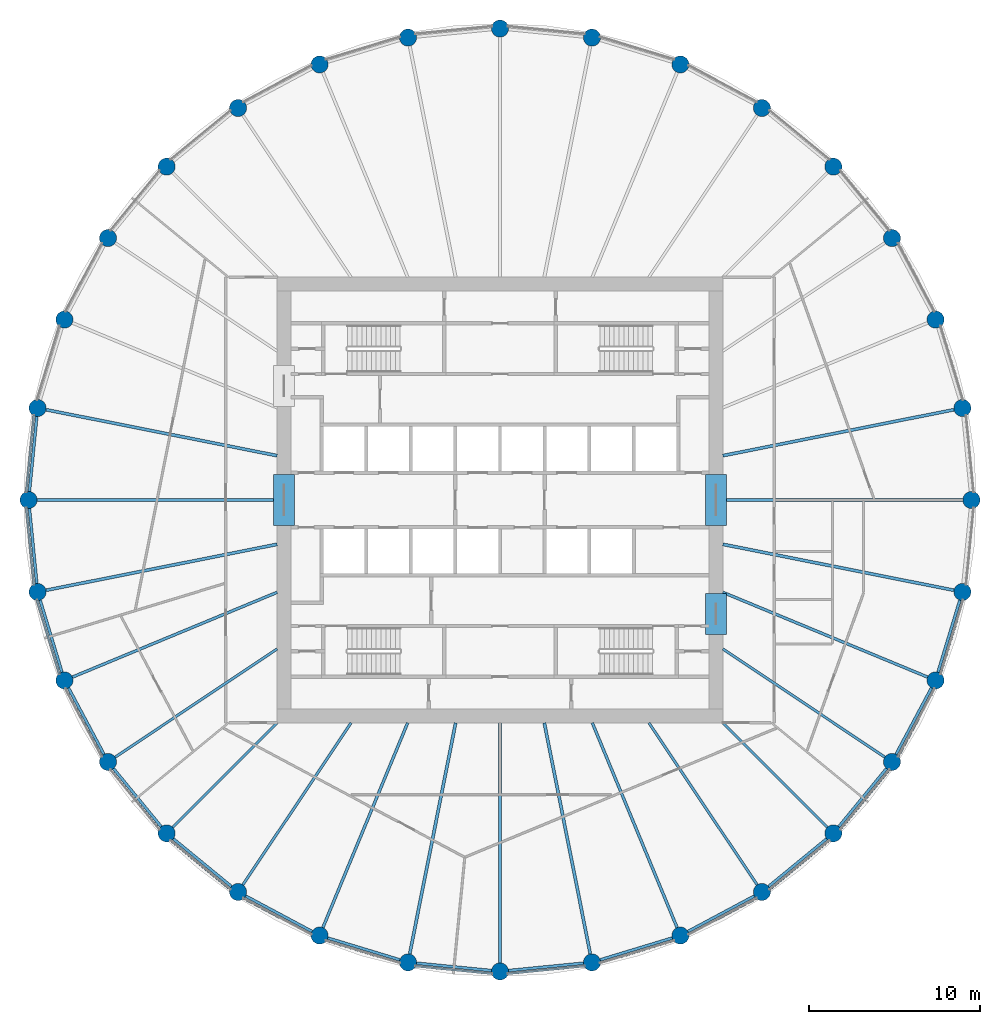
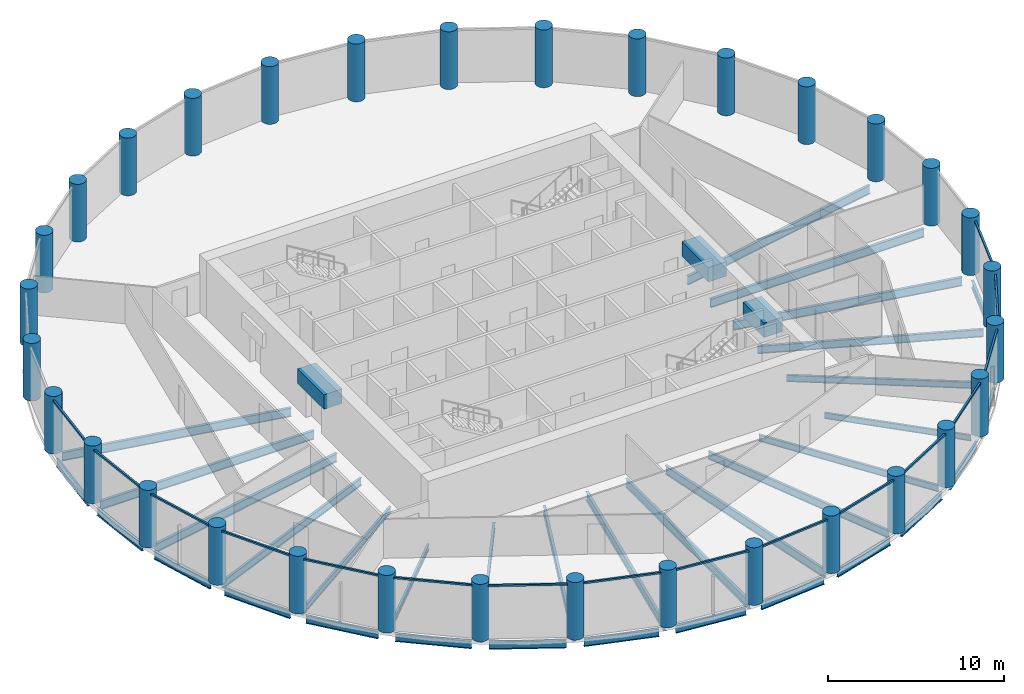
# One storey, part 1 of 8: 38 beams, 32 columns, 16 members, 16 elements without a shape of their own.
"""IFC4 building model written with IfcOpenShell, lengths in metres."""

from ifc_helpers import new_model, si_unit, direction, frame, origin, origin_2d, place, context, subcontext, project, spatial, rectangle, circle, i_section, extrude, material, material_profile, profile_set, type_object, element, aggregate, save


model = new_model("IFC4")

# Units and contexts
model_context = context("Model", 3, precision=1e-05, world=origin(), true_north=direction((0.0, 1.0)))
body_context = subcontext(model_context, "Body", "Model", "MODEL_VIEW")
ifc_project = project(units=[si_unit("LENGTHUNIT", "METRE"), si_unit("AREAUNIT", "SQUARE_METRE"), si_unit("VOLUMEUNIT", "CUBIC_METRE"), si_unit("PLANEANGLEUNIT", "RADIAN"), si_unit("MASSUNIT", "GRAM", prefix="KILO")], contexts=[model_context])

# Site, building, storey
site_placement = place(None, origin())
site = spatial("IfcSite", under=ifc_project, at=site_placement, CompositionType="ELEMENT")
building_placement = place(site_placement, origin())
building = spatial("IfcBuilding", under=site, at=building_placement, Name="Corvane Civic Tower", CompositionType="ELEMENT")
storey_placement = place(building_placement, frame((0.0, 0.0, 209.5)))
storey = spatial("IfcBuildingStorey", under=building, at=storey_placement, Name="L49", CompositionType="ELEMENT", Elevation=209.5)

# Columns
ifc_material_1 = material(Name="Concrete C60/75", Category="concrete")
ifc_material_profile_1 = material_profile(ifc_material_1, circle(Radius=0.5, at=origin_2d()), Name="COLUMN 1000")
ifc_profile_set_1 = profile_set([ifc_material_profile_1], Name="Concrete C60/75")
column_type = type_object("IfcColumnType", Name="RC COLUMN COLUMN 1000", PredefinedType="COLUMN", material=ifc_profile_set_1)
for number, where, z_axis, x_axis, name in (
    (1, (0.0, 27.5, 0.0), (0.0, 0.0, 1.0), (1.0, 0.0, 0.0), "COL-L49-D01"),
    (2, (5.364990234375, 26.9716796875, 0.0), (0.0, 0.0, 1.0), (1.0, 0.0, 0.0), "COL-L49-D02"),
    (3, (10.523681640625, 25.40673828125, 0.0), (0.0, 0.0, 1.0), (1.0, 0.0, 0.0), "COL-L49-D03"),
    (4, (15.278076171875, 22.865478515625, 0.0), (0.0, 0.0, 1.0), (1.0, 0.0, 0.0), "COL-L49-D04"),
    (5, (19.445556640625, 19.445556640625, 0.0), (0.0, 0.0, 1.0), (1.0, 0.0, 0.0), "COL-L49-D05"),
    (6, (22.865478515625, 15.278076171875, 0.0), (0.0, 0.0, 1.0), (1.0, 0.0, 0.0), "COL-L49-D06"),
    (7, (25.40673828125, 10.523681640625, 0.0), (0.0, 0.0, 1.0), (1.0, 0.0, 0.0), "COL-L49-D07"),
    (8, (26.9716796875, 5.364990234375, 0.0), (0.0, 0.0, 1.0), (1.0, 0.0, 0.0), "COL-L49-D08"),
    (9, (27.5, 0.0, 0.0), (0.0, 0.0, 1.0), (1.0, 0.0, 0.0), "COL-L49-D09"),
    (10, (26.9716796875, -5.364990234375, 0.0), (0.0, 0.0, 1.0), (1.0, 0.0, 0.0), "COL-L49-D10"),
    (11, (25.40673828125, -10.523681640625, 0.0), (0.0, 0.0, 1.0), (1.0, 0.0, 0.0), "COL-L49-D11"),
    (12, (22.865478515625, -15.278076171875, 0.0), (0.0, 0.0, 1.0), (1.0, 0.0, 0.0), "COL-L49-D12"),
    (13, (19.445556640625, -19.445556640625, 0.0), (0.0, 0.0, 1.0), (1.0, 0.0, 0.0), "COL-L49-D13"),
    (14, (15.278076171875, -22.865478515625, 0.0), (0.0, 0.0, 1.0), (1.0, 0.0, 0.0), "COL-L49-D14"),
    (15, (10.523681640625, -25.40673828125, 0.0), (0.0, 0.0, 1.0), (1.0, 0.0, 0.0), "COL-L49-D15"),
    (16, (5.364990234375, -26.9716796875, 0.0), (0.0, 0.0, 1.0), (1.0, 0.0, 0.0), "COL-L49-D16"),
    (17, (0.0, -27.5, 0.0), (0.0, 0.0, 1.0), (1.0, 0.0, 0.0), "COL-L49-D17"),
    (18, (-5.364990234375, -26.9716796875, 0.0), (0.0, 0.0, 1.0), (1.0, 0.0, 0.0), "COL-L49-D18"),
    (19, (-10.523681640625, -25.40673828125, 0.0), (0.0, 0.0, 1.0), (1.0, 0.0, 0.0), "COL-L49-D19"),
    (20, (-15.278076171875, -22.865478515625, 0.0), (0.0, 0.0, 1.0), (1.0, 0.0, 0.0), "COL-L49-D20"),
    (21, (-19.445556640625, -19.445556640625, 0.0), (0.0, 0.0, 1.0), (1.0, 0.0, 0.0), "COL-L49-D21"),
    (22, (-22.865478515625, -15.278076171875, 0.0), (0.0, 0.0, 1.0), (1.0, 0.0, 0.0), "COL-L49-D22"),
    (23, (-25.40673828125, -10.523681640625, 0.0), (0.0, 0.0, 1.0), (1.0, 0.0, 0.0), "COL-L49-D23"),
    (24, (-26.9716796875, -5.364990234375, 0.0), (0.0, 0.0, 1.0), (1.0, 0.0, 0.0), "COL-L49-D24"),
    (25, (-27.5, 0.0, 0.0), (0.0, 0.0, 1.0), (1.0, 0.0, 0.0), "COL-L49-D25"),
    (26, (-26.9716796875, 5.364990234375, 0.0), (0.0, 0.0, 1.0), (1.0, 0.0, 0.0), "COL-L49-D26"),
    (27, (-25.40673828125, 10.523681640625, 0.0), (0.0, 0.0, 1.0), (1.0, 0.0, 0.0), "COL-L49-D27"),
    (28, (-22.865478515625, 15.278076171875, 0.0), (0.0, 0.0, 1.0), (1.0, 0.0, 0.0), "COL-L49-D28"),
    (29, (-19.445556640625, 19.445556640625, 0.0), (0.0, 0.0, 1.0), (1.0, 0.0, 0.0), "COL-L49-D29"),
    (30, (-15.278076171875, 22.865478515625, 0.0), (0.0, 0.0, 1.0), (1.0, 0.0, 0.0), "COL-L49-D30"),
    (31, (-10.523681640625, 25.40673828125, 0.0), (0.0, 0.0, 1.0), (1.0, 0.0, 0.0), "COL-L49-D31"),
    (32, (-5.364990234375, 26.9716796875, 0.0), (0.0, 0.0, 1.0), (1.0, 0.0, 0.0), "COL-L49-D32"),
):
    element("IfcColumn", number, at=place(storey_placement, frame(where, z_axis=z_axis, x_axis=x_axis)), inside=storey, type_object=column_type, Name=name, PredefinedType="COLUMN", context=body_context, shape_type="SweptSolid", body=[
        extrude(circle(Radius=0.5, at=origin_2d()), origin(), (0.0, 0.0, 1.0), 4.0),
    ])

# Beams
ifc_material_2 = material(Name="Concrete C50/60", Category="concrete")
ifc_material_profile_2 = material_profile(ifc_material_2, rectangle(XDim=1.199951171875, YDim=1.0, at=origin_2d()), Name="COUPLING BEAM 1200X1000")
ifc_profile_set_2 = profile_set([ifc_material_profile_2], Name="Concrete C50/60")
beam_type_1 = type_object("IfcBeamType", Name="COUPLING BEAM COUPLING BEAM 1200X1000", PredefinedType="BEAM", material=ifc_profile_set_2)
for number, where, z_axis, x_axis, name in (
    (33, (-12.60009765625, -1.5, 2.60009765625), (0.0, 1.0, 0.0), (-1.0, 0.0, 0.0), "BM-L49-cpl-CW-LW"),
    (34, (12.60009765625, -1.5, 2.60009765625), (0.0, 1.0, 0.0), (-1.0, 0.0, 0.0), "BM-L49-cpl-CW-LE"),
):
    element("IfcBeam", number, at=place(storey_placement, frame(where, z_axis=z_axis, x_axis=x_axis)), inside=storey, type_object=beam_type_1, Name=name, PredefinedType="BEAM", context=body_context, shape_type="SweptSolid", body=[
        extrude(rectangle(XDim=1.199951171875, YDim=1.0, at=origin_2d()), origin(), (0.0, 0.0, 1.0), 3.0),
    ])
beam_1_placement = place(storey_placement, frame((12.60009765625, -7.85009765625, 2.60009765625), z_axis=(0.0, 1.0, 0.0), x_axis=(-1.0, 0.0, 0.0)))
element("IfcBeam", 35, at=beam_1_placement, inside=storey, type_object=beam_type_1, Name="BM-L49-cpl-CW-ES", PredefinedType="BEAM", context=body_context, shape_type="SweptSolid", body=[
    extrude(rectangle(XDim=1.199951171875, YDim=1.0, at=origin_2d()), origin(), (0.0, 0.0, 1.0), 2.400146484375),
])
ifc_material_3 = material(Name="Steel ASTM A992 Gr 50", Category="steel")
ifc_material_profile_3 = material_profile(ifc_material_3, i_section(OverallWidth=0.165771484375, OverallDepth=0.5283203125, WebThickness=0.009765625, FlangeThickness=0.013671875, at=origin_2d()), Name="W21X50")
ifc_profile_set_3 = profile_set([ifc_material_profile_3], Name="Steel ASTM A992 Gr 50")
beam_type_2 = type_object("IfcBeamType", Name="EDGE BEAM W21X50", PredefinedType="BEAM", material=ifc_profile_set_3)
beam_2_placement = place(storey_placement, frame((26.826416015625, -5.843505859375, -0.564208984375), z_axis=(-0.290254307888, -0.956949547653, 0.0), x_axis=(0.956949547653, -0.290254307888, 0.0)))
element("IfcBeam", 36, at=beam_2_placement, inside=storey, type_object=beam_type_2, Name="BM-L49-E10", PredefinedType="BEAM", context=body_context, shape_type="SweptSolid", body=[
    extrude(i_section(OverallWidth=0.165771484375, OverallDepth=0.5283203125, WebThickness=0.009765625, FlangeThickness=0.013671875, at=origin_2d()), origin(), (0.0, 0.0, 1.0), 4.390625),
])
for number, where, z_axis, x_axis, name in (
    (37, (25.171142578125, -10.964599609375, -0.564208984375), (-0.471422006704, -0.881907756852, 0.0), (0.881907756852, -0.471422006704, 0.0), "BM-L49-E11"),
    (38, (22.54833984375, -15.66455078125, -0.564208984375), (-0.634369433447, -0.773030026524, 0.0), (0.773030026524, -0.634369433447, 0.0), "BM-L49-E12"),
    (39, (19.05908203125, -19.7626953125, -0.564208984375), (-0.773030026524, -0.634369433447, 0.0), (0.634369433447, -0.773030026524, 0.0), "BM-L49-E13"),
    (40, (14.837158203125, -23.10107421875, -0.564208984375), (-0.881907756852, -0.471422006704, 0.0), (0.471422006704, -0.881907756852, 0.0), "BM-L49-E14"),
):
    element("IfcBeam", number, at=place(storey_placement, frame(where, z_axis=z_axis, x_axis=x_axis)), inside=storey, type_object=beam_type_2, Name=name, PredefinedType="BEAM", context=body_context, shape_type="SweptSolid", body=[
        extrude(i_section(OverallWidth=0.165771484375, OverallDepth=0.5283203125, WebThickness=0.009765625, FlangeThickness=0.013671875, at=origin_2d()), origin(), (0.0, 0.0, 1.0), 4.39111328125),
    ])
beam_3_placement = place(storey_placement, frame((10.045166015625, -25.552001953125, -0.564208984375), z_axis=(-0.956949547653, -0.290254307888, 0.0), x_axis=(0.290254307888, -0.956949547653, 0.0)))
element("IfcBeam", 41, at=beam_3_placement, inside=storey, type_object=beam_type_2, Name="BM-L49-E15", PredefinedType="BEAM", context=body_context, shape_type="SweptSolid", body=[
    extrude(i_section(OverallWidth=0.165771484375, OverallDepth=0.5283203125, WebThickness=0.009765625, FlangeThickness=0.013671875, at=origin_2d()), origin(), (0.0, 0.0, 1.0), 4.390625),
])
for number, where, z_axis, x_axis, name in (
    (42, (4.867431640625, -27.020751953125, -0.564208984375), (-0.995189593769, -0.097967711281, 0.0), (0.097967711281, -0.995189593769, 0.0), "BM-L49-E16"),
    (43, (-0.49755859375, -27.450927734375, -0.564208984375), (-0.995189593769, 0.097967711281, 0.0), (-0.097967711281, -0.995189593769, 0.0), "BM-L49-E17"),
):
    element("IfcBeam", number, at=place(storey_placement, frame(where, z_axis=z_axis, x_axis=x_axis)), inside=storey, type_object=beam_type_2, Name=name, PredefinedType="BEAM", context=body_context, shape_type="SweptSolid", body=[
        extrude(i_section(OverallWidth=0.165771484375, OverallDepth=0.5283203125, WebThickness=0.009765625, FlangeThickness=0.013671875, at=origin_2d()), origin(), (0.0, 0.0, 1.0), 4.39111328125),
    ])
beam_4_placement = place(storey_placement, frame((-5.843505859375, -26.826416015625, -0.564208984375), z_axis=(-0.956949547653, 0.290254307888, 0.0), x_axis=(-0.290254307888, -0.956949547653, 0.0)))
element("IfcBeam", 44, at=beam_4_placement, inside=storey, type_object=beam_type_2, Name="BM-L49-E18", PredefinedType="BEAM", context=body_context, shape_type="SweptSolid", body=[
    extrude(i_section(OverallWidth=0.165771484375, OverallDepth=0.5283203125, WebThickness=0.009765625, FlangeThickness=0.013671875, at=origin_2d()), origin(), (0.0, 0.0, 1.0), 4.390625),
])
for number, where, z_axis, x_axis, name in (
    (45, (-10.964599609375, -25.171142578125, -0.564208984375), (-0.881907756852, 0.471422006704, 0.0), (-0.471422006704, -0.881907756852, 0.0), "BM-L49-E19"),
    (46, (-15.66455078125, -22.54833984375, -0.564208984375), (-0.773030026524, 0.634369433447, 0.0), (-0.634369433447, -0.773030026524, 0.0), "BM-L49-E20"),
    (47, (-19.7626953125, -19.05908203125, -0.564208984375), (-0.634369433447, 0.773030026524, 0.0), (-0.773030026524, -0.634369433447, 0.0), "BM-L49-E21"),
    (48, (-23.10107421875, -14.837158203125, -0.564208984375), (-0.471422006704, 0.881907756852, 0.0), (-0.881907756852, -0.471422006704, 0.0), "BM-L49-E22"),
):
    element("IfcBeam", number, at=place(storey_placement, frame(where, z_axis=z_axis, x_axis=x_axis)), inside=storey, type_object=beam_type_2, Name=name, PredefinedType="BEAM", context=body_context, shape_type="SweptSolid", body=[
        extrude(i_section(OverallWidth=0.165771484375, OverallDepth=0.5283203125, WebThickness=0.009765625, FlangeThickness=0.013671875, at=origin_2d()), origin(), (0.0, 0.0, 1.0), 4.39111328125),
    ])
beam_5_placement = place(storey_placement, frame((-25.552001953125, -10.045166015625, -0.564208984375), z_axis=(-0.290254307888, 0.956949547653, 0.0), x_axis=(-0.956949547653, -0.290254307888, 0.0)))
element("IfcBeam", 49, at=beam_5_placement, inside=storey, type_object=beam_type_2, Name="BM-L49-E23", PredefinedType="BEAM", context=body_context, shape_type="SweptSolid", body=[
    extrude(i_section(OverallWidth=0.165771484375, OverallDepth=0.5283203125, WebThickness=0.009765625, FlangeThickness=0.013671875, at=origin_2d()), origin(), (0.0, 0.0, 1.0), 4.390625),
])
for number, where, z_axis, x_axis, name in (
    (50, (-27.020751953125, -4.867431640625, -0.564208984375), (-0.097967711281, 0.995189593769, 0.0), (-0.995189593769, -0.097967711281, 0.0), "BM-L49-E24"),
    (51, (-27.450927734375, 0.49755859375, -0.564208984375), (0.097967711281, 0.995189593769, 0.0), (-0.995189593769, 0.097967711281, 0.0), "BM-L49-E25"),
):
    element("IfcBeam", number, at=place(storey_placement, frame(where, z_axis=z_axis, x_axis=x_axis)), inside=storey, type_object=beam_type_2, Name=name, PredefinedType="BEAM", context=body_context, shape_type="SweptSolid", body=[
        extrude(i_section(OverallWidth=0.165771484375, OverallDepth=0.5283203125, WebThickness=0.009765625, FlangeThickness=0.013671875, at=origin_2d()), origin(), (0.0, 0.0, 1.0), 4.39111328125),
    ])
ifc_material_4 = material(Name="Steel ASTM A992 Gr 50", Category="steel")
ifc_material_profile_4 = material_profile(ifc_material_4, i_section(OverallWidth=0.140380859375, OverallDepth=0.40380859375, WebThickness=0.007080078125, FlangeThickness=0.01123046875, at=origin_2d()), Name="W16X31")
ifc_profile_set_4 = profile_set([ifc_material_profile_4], Name="Steel ASTM A992 Gr 50")
beam_type_3 = type_object("IfcBeamType", Name="FLOOR GIRDER W16X31", PredefinedType="BEAM", material=ifc_profile_set_4)
for number, where, z_axis, x_axis, name in (
    (52, (13.0, -13.0, -0.501953125), (0.707106781187, -0.707106781187, 0.0), (0.707106781187, 0.707106781187, 0.0), "BM-L49-G13"),
    (53, (-13.0, -13.0, -0.501953125), (-0.707106781187, -0.707106781187, 0.0), (0.707106781187, -0.707106781187, 0.0), "BM-L49-G21"),
):
    element("IfcBeam", number, at=place(storey_placement, frame(where, z_axis=z_axis, x_axis=x_axis)), inside=storey, type_object=beam_type_3, Name=name, PredefinedType="BEAM", context=body_context, shape_type="SweptSolid", body=[
        extrude(i_section(OverallWidth=0.140380859375, OverallDepth=0.40380859375, WebThickness=0.007080078125, FlangeThickness=0.01123046875, at=origin_2d()), origin(), (0.0, 0.0, 1.0), 8.614990234375),
    ])
ifc_material_5 = material(Name="Steel ASTM A992 Gr 50", Category="steel")
ifc_material_profile_5 = material_profile(ifc_material_5, i_section(OverallWidth=0.15283203125, OverallDepth=0.45458984375, WebThickness=0.008056640625, FlangeThickness=0.013427734375, at=origin_2d()), Name="W18X40")
ifc_profile_set_5 = profile_set([ifc_material_profile_5], Name="Steel ASTM A992 Gr 50")
beam_type_4 = type_object("IfcBeamType", Name="FLOOR GIRDER W18X40", PredefinedType="BEAM", material=ifc_profile_set_5)
for number, where, z_axis, x_axis, name in (
    (54, (13.0, -8.686279296875, -0.52734375), (0.831464872557, -0.555577326485, 0.0), (0.555577326485, 0.831464872557, 0.0), "BM-L49-G12"),
    (55, (8.686279296875, -13.0, -0.52734375), (0.555577326485, -0.831464872557, 0.0), (0.831464872557, 0.555577326485, 0.0), "BM-L49-G14"),
    (56, (-8.686279296875, -13.0, -0.52734375), (-0.555577326485, -0.831464872557, 0.0), (0.831464872557, -0.555577326485, 0.0), "BM-L49-G20"),
    (57, (-13.0, -8.686279296875, -0.52734375), (-0.831464872557, -0.555577326485, 0.0), (0.555577326485, -0.831464872557, 0.0), "BM-L49-G22"),
):
    element("IfcBeam", number, at=place(storey_placement, frame(where, z_axis=z_axis, x_axis=x_axis)), inside=storey, type_object=beam_type_4, Name=name, PredefinedType="BEAM", context=body_context, shape_type="SweptSolid", body=[
        extrude(i_section(OverallWidth=0.15283203125, OverallDepth=0.45458984375, WebThickness=0.008056640625, FlangeThickness=0.013427734375, at=origin_2d()), origin(), (0.0, 0.0, 1.0), 11.365234375),
    ])
ifc_material_6 = material(Name="Steel ASTM A992 Gr 50", Category="steel")
ifc_material_profile_6 = material_profile(ifc_material_6, i_section(OverallWidth=0.165771484375, OverallDepth=0.5283203125, WebThickness=0.009765625, FlangeThickness=0.013671875, at=origin_2d()), Name="W21X50")
ifc_profile_set_6 = profile_set([ifc_material_profile_6], Name="Steel ASTM A992 Gr 50")
beam_type_5 = type_object("IfcBeamType", Name="FLOOR GIRDER W21X50", PredefinedType="BEAM", material=ifc_profile_set_6)
for number, where, z_axis, x_axis, name in (
    (58, (13.0, -5.384765625, -0.564208984375), (0.923878282404, -0.382686450378, 0.0), (0.382686450378, 0.923878282404, 0.0), "BM-L49-G11"),
    (59, (5.384765625, -13.0, -0.564208984375), (0.382686450378, -0.923878282404, 0.0), (0.923878282404, 0.382686450378, 0.0), "BM-L49-G15"),
    (60, (-5.384765625, -13.0, -0.564208984375), (-0.382686450378, -0.923878282404, 0.0), (0.923878282404, -0.382686450378, 0.0), "BM-L49-G19"),
    (61, (-13.0, -5.384765625, -0.564208984375), (-0.923878282404, -0.382686450378, 0.0), (0.382686450378, -0.923878282404, 0.0), "BM-L49-G23"),
):
    element("IfcBeam", number, at=place(storey_placement, frame(where, z_axis=z_axis, x_axis=x_axis)), inside=storey, type_object=beam_type_5, Name=name, PredefinedType="BEAM", context=body_context, shape_type="SweptSolid", body=[
        extrude(i_section(OverallWidth=0.165771484375, OverallDepth=0.5283203125, WebThickness=0.009765625, FlangeThickness=0.013671875, at=origin_2d()), origin(), (0.0, 0.0, 1.0), 12.928955078125),
    ])
ifc_material_7 = material(Name="Steel ASTM A992 Gr 50", Category="steel")
ifc_material_profile_7 = material_profile(ifc_material_7, i_section(OverallWidth=0.177978515625, OverallDepth=0.599365234375, WebThickness=0.010009765625, FlangeThickness=0.012939453125, at=origin_2d()), Name="W24X55")
ifc_profile_set_7 = profile_set([ifc_material_profile_7], Name="Steel ASTM A992 Gr 50")
beam_type_6 = type_object("IfcBeamType", Name="FLOOR GIRDER W24X55", PredefinedType="BEAM", material=ifc_profile_set_7)
beam_6_placement = place(storey_placement, frame((13.0, 2.5859375, -0.599609375), z_axis=(0.980787802109, 0.195077644118, 0.0), x_axis=(-0.195077644118, 0.980787802109, 0.0)))
element("IfcBeam", 62, at=beam_6_placement, inside=storey, type_object=beam_type_6, Name="BM-L49-G08", PredefinedType="BEAM", context=body_context, shape_type="SweptSolid", body=[
    extrude(i_section(OverallWidth=0.177978515625, OverallDepth=0.599365234375, WebThickness=0.010009765625, FlangeThickness=0.012939453125, at=origin_2d()), origin(), (0.0, 0.0, 1.0), 13.745361328125),
])
beam_7_placement = place(storey_placement, frame((13.0, 0.0, -0.599609375), z_axis=(1.0, 0.0, 0.0), x_axis=(0.0, 1.0, 0.0)))
element("IfcBeam", 63, at=beam_7_placement, inside=storey, type_object=beam_type_6, Name="BM-L49-G09", PredefinedType="BEAM", context=body_context, shape_type="SweptSolid", body=[
    extrude(i_section(OverallWidth=0.177978515625, OverallDepth=0.599365234375, WebThickness=0.010009765625, FlangeThickness=0.012939453125, at=origin_2d()), origin(), (0.0, 0.0, 1.0), 14.0),
])
for number, where, z_axis, x_axis, name in (
    (64, (13.0, -2.5859375, -0.599609375), (0.980787802109, -0.195077644118, 0.0), (0.195077644118, 0.980787802109, 0.0), "BM-L49-G10"),
    (65, (2.5859375, -13.0, -0.599609375), (0.195077644118, -0.980787802109, 0.0), (0.980787802109, 0.195077644118, 0.0), "BM-L49-G16"),
):
    element("IfcBeam", number, at=place(storey_placement, frame(where, z_axis=z_axis, x_axis=x_axis)), inside=storey, type_object=beam_type_6, Name=name, PredefinedType="BEAM", context=body_context, shape_type="SweptSolid", body=[
        extrude(i_section(OverallWidth=0.177978515625, OverallDepth=0.599365234375, WebThickness=0.010009765625, FlangeThickness=0.012939453125, at=origin_2d()), origin(), (0.0, 0.0, 1.0), 13.745361328125),
    ])
beam_8_placement = place(storey_placement, frame((0.0, -13.0, -0.599609375), z_axis=(0.0, -1.0, 0.0), x_axis=(1.0, 0.0, 0.0)))
element("IfcBeam", 66, at=beam_8_placement, inside=storey, type_object=beam_type_6, Name="BM-L49-G17", PredefinedType="BEAM", context=body_context, shape_type="SweptSolid", body=[
    extrude(i_section(OverallWidth=0.177978515625, OverallDepth=0.599365234375, WebThickness=0.010009765625, FlangeThickness=0.012939453125, at=origin_2d()), origin(), (0.0, 0.0, 1.0), 14.0),
])
for number, where, z_axis, x_axis, name in (
    (67, (-2.5859375, -13.0, -0.599609375), (-0.195077644118, -0.980787802109, 0.0), (0.980787802109, -0.195077644118, 0.0), "BM-L49-G18"),
    (68, (-13.0, -2.5859375, -0.599609375), (-0.980787802109, -0.195077644118, 0.0), (0.195077644118, -0.980787802109, 0.0), "BM-L49-G24"),
):
    element("IfcBeam", number, at=place(storey_placement, frame(where, z_axis=z_axis, x_axis=x_axis)), inside=storey, type_object=beam_type_6, Name=name, PredefinedType="BEAM", context=body_context, shape_type="SweptSolid", body=[
        extrude(i_section(OverallWidth=0.177978515625, OverallDepth=0.599365234375, WebThickness=0.010009765625, FlangeThickness=0.012939453125, at=origin_2d()), origin(), (0.0, 0.0, 1.0), 13.745361328125),
    ])
beam_9_placement = place(storey_placement, frame((-13.0, 0.0, -0.599609375), z_axis=(-1.0, 0.0, 0.0), x_axis=(0.0, -1.0, 0.0)))
element("IfcBeam", 69, at=beam_9_placement, inside=storey, type_object=beam_type_6, Name="BM-L49-G25", PredefinedType="BEAM", context=body_context, shape_type="SweptSolid", body=[
    extrude(i_section(OverallWidth=0.177978515625, OverallDepth=0.599365234375, WebThickness=0.010009765625, FlangeThickness=0.012939453125, at=origin_2d()), origin(), (0.0, 0.0, 1.0), 14.0),
])
beam_10_placement = place(storey_placement, frame((-13.0, 2.5859375, -0.599609375), z_axis=(-0.980787802109, 0.195077644118, 0.0), x_axis=(-0.195077644118, -0.980787802109, 0.0)))
element("IfcBeam", 70, at=beam_10_placement, inside=storey, type_object=beam_type_6, Name="BM-L49-G26", PredefinedType="BEAM", context=body_context, shape_type="SweptSolid", body=[
    extrude(i_section(OverallWidth=0.177978515625, OverallDepth=0.599365234375, WebThickness=0.010009765625, FlangeThickness=0.012939453125, at=origin_2d()), origin(), (0.0, 0.0, 1.0), 13.745361328125),
])

# Curtain wall, member
ifc_material_8 = material(Name="Anodised aluminium bronze", Category="aluminium")
curtain_wall_type = type_object("IfcCurtainWallType", Name="TOWER CW-T2 STICK CURTAIN WALL", PredefinedType="NOTDEFINED", material=ifc_material_8)
curtain_wall_1_placement = place(storey_placement, origin())
curtain_wall_1 = element("IfcCurtainWall", 71, at=curtain_wall_1_placement, inside=storey, type_object=curtain_wall_type, Name="Curtain wall CW-T2 L49 bay 10", PredefinedType="NOTDEFINED")
ifc_material_9 = material(Name="Anodised aluminium bronze", Category="aluminium")
ifc_material_profile_8 = material_profile(ifc_material_9, rectangle(XDim=0.1201171875, YDim=0.1201171875, at=origin_2d()), Name="TOWER CW-T2 TRANSOM 120x120")
ifc_profile_set_8 = profile_set([ifc_material_profile_8], Name="Anodised aluminium bronze")
member_type = type_object("IfcMemberType", Name="TOWER CW-T2 TRANSOM 120x120", PredefinedType="USERDEFINED", material=ifc_profile_set_8)
member_1_placement = place(storey_placement, frame((27.016357421875, -5.8349609375, 3.68994140625), z_axis=(-0.2902818869, -0.956941182173, 0.0), x_axis=(0.956941182173, -0.2902818869, 0.0)))
member_1 = element("IfcMember", 72, at=member_1_placement, type_object=member_type, Name="Transom CW-T2 L49 10.1", ObjectType="TRANSOM", PredefinedType="USERDEFINED", context=body_context, shape_type="SweptSolid", body=[
    extrude(rectangle(XDim=0.1201171875, YDim=0.1201171875, at=origin_2d()), origin(), (0.0, 0.0, 1.0), 4.517333984375),
])
aggregate(curtain_wall_1, [member_1])

curtain_wall_2_placement = place(storey_placement, origin())
curtain_wall_2 = element("IfcCurtainWall", 73, at=curtain_wall_2_placement, inside=storey, type_object=curtain_wall_type, Name="Curtain wall CW-T2 L49 bay 11", PredefinedType="NOTDEFINED")
member_2_placement = place(storey_placement, frame((25.35888671875, -10.993408203125, 3.68994140625), z_axis=(-0.471390317183, -0.881924695689, 0.0), x_axis=(0.881924695689, -0.471390317183, 0.0)))
member_2 = element("IfcMember", 74, at=member_2_placement, type_object=member_type, Name="Transom CW-T2 L49 11.1", ObjectType="TRANSOM", PredefinedType="USERDEFINED", context=body_context, shape_type="SweptSolid", body=[
    extrude(rectangle(XDim=0.1201171875, YDim=0.1201171875, at=origin_2d()), origin(), (0.0, 0.0, 1.0), 4.517333984375),
])
aggregate(curtain_wall_2, [member_2])

curtain_wall_3_placement = place(storey_placement, origin())
curtain_wall_3 = element("IfcCurtainWall", 75, at=curtain_wall_3_placement, inside=storey, type_object=curtain_wall_type, Name="Curtain wall CW-T2 L49 bay 12", PredefinedType="NOTDEFINED")
member_3_placement = place(storey_placement, frame((22.726806640625, -15.7294921875, 3.68994140625), z_axis=(-0.634387834569, -0.773014925698, 0.0), x_axis=(0.773014925698, -0.634387834569, 0.0)))
member_3 = element("IfcMember", 76, at=member_3_placement, type_object=member_type, Name="Transom CW-T2 L49 12.1", ObjectType="TRANSOM", PredefinedType="USERDEFINED", context=body_context, shape_type="SweptSolid", body=[
    extrude(rectangle(XDim=0.1201171875, YDim=0.1201171875, at=origin_2d()), origin(), (0.0, 0.0, 1.0), 4.517333984375),
])
aggregate(curtain_wall_3, [member_3])

curtain_wall_4_placement = place(storey_placement, origin())
curtain_wall_4 = element("IfcCurtainWall", 77, at=curtain_wall_4_placement, inside=storey, type_object=curtain_wall_type, Name="Curtain wall CW-T2 L49 bay 13", PredefinedType="NOTDEFINED")
member_4_placement = place(storey_placement, frame((19.221435546875, -19.861083984375, 3.68994140625), z_axis=(-0.773014925698, -0.634387834569, 0.0), x_axis=(0.634387834569, -0.773014925698, 0.0)))
member_4 = element("IfcMember", 78, at=member_4_placement, type_object=member_type, Name="Transom CW-T2 L49 13.1", ObjectType="TRANSOM", PredefinedType="USERDEFINED", context=body_context, shape_type="SweptSolid", body=[
    extrude(rectangle(XDim=0.1201171875, YDim=0.1201171875, at=origin_2d()), origin(), (0.0, 0.0, 1.0), 4.517333984375),
])
aggregate(curtain_wall_4, [member_4])

curtain_wall_5_placement = place(storey_placement, origin())
curtain_wall_5 = element("IfcCurtainWall", 79, at=curtain_wall_5_placement, inside=storey, type_object=curtain_wall_type, Name="Curtain wall CW-T2 L49 bay 14", PredefinedType="NOTDEFINED")
member_5_placement = place(storey_placement, frame((14.977294921875, -23.2294921875, 3.68994140625), z_axis=(-0.881924695689, -0.471390317183, 0.0), x_axis=(0.471390317183, -0.881924695689, 0.0)))
member_5 = element("IfcMember", 80, at=member_5_placement, type_object=member_type, Name="Transom CW-T2 L49 14.1", ObjectType="TRANSOM", PredefinedType="USERDEFINED", context=body_context, shape_type="SweptSolid", body=[
    extrude(rectangle(XDim=0.1201171875, YDim=0.1201171875, at=origin_2d()), origin(), (0.0, 0.0, 1.0), 4.517333984375),
])
aggregate(curtain_wall_5, [member_5])

curtain_wall_6_placement = place(storey_placement, origin())
curtain_wall_6 = element("IfcCurtainWall", 81, at=curtain_wall_6_placement, inside=storey, type_object=curtain_wall_type, Name="Curtain wall CW-T2 L49 bay 15", PredefinedType="NOTDEFINED")
member_6_placement = place(storey_placement, frame((10.15771484375, -25.705078125, 3.68994140625), z_axis=(-0.956941182173, -0.2902818869, 0.0), x_axis=(0.2902818869, -0.956941182173, 0.0)))
member_6 = element("IfcMember", 82, at=member_6_placement, type_object=member_type, Name="Transom CW-T2 L49 15.1", ObjectType="TRANSOM", PredefinedType="USERDEFINED", context=body_context, shape_type="SweptSolid", body=[
    extrude(rectangle(XDim=0.1201171875, YDim=0.1201171875, at=origin_2d()), origin(), (0.0, 0.0, 1.0), 4.517333984375),
])
aggregate(curtain_wall_6, [member_6])

curtain_wall_7_placement = place(storey_placement, origin())
curtain_wall_7 = element("IfcCurtainWall", 83, at=curtain_wall_7_placement, inside=storey, type_object=curtain_wall_type, Name="Curtain wall CW-T2 L49 bay 16", PredefinedType="NOTDEFINED")
member_7_placement = place(storey_placement, frame((4.94775390625, -27.192626953125, 3.68994140625), z_axis=(-0.995182207386, -0.098042715701, 0.0), x_axis=(0.098042715701, -0.995182207386, 0.0)))
member_7 = element("IfcMember", 84, at=member_7_placement, type_object=member_type, Name="Transom CW-T2 L49 16.1", ObjectType="TRANSOM", PredefinedType="USERDEFINED", context=body_context, shape_type="SweptSolid", body=[
    extrude(rectangle(XDim=0.1201171875, YDim=0.1201171875, at=origin_2d()), origin(), (0.0, 0.0, 1.0), 4.51708984375),
])
aggregate(curtain_wall_7, [member_7])

curtain_wall_8_placement = place(storey_placement, origin())
curtain_wall_8 = element("IfcCurtainWall", 85, at=curtain_wall_8_placement, inside=storey, type_object=curtain_wall_type, Name="Curtain wall CW-T2 L49 bay 17", PredefinedType="NOTDEFINED")
member_8_placement = place(storey_placement, frame((-0.452392578125, -27.635498046875, 3.68994140625), z_axis=(-0.995182207386, 0.098042715701, 0.0), x_axis=(-0.098042715701, -0.995182207386, 0.0)))
member_8 = element("IfcMember", 86, at=member_8_placement, type_object=member_type, Name="Transom CW-T2 L49 17.1", ObjectType="TRANSOM", PredefinedType="USERDEFINED", context=body_context, shape_type="SweptSolid", body=[
    extrude(rectangle(XDim=0.1201171875, YDim=0.1201171875, at=origin_2d()), origin(), (0.0, 0.0, 1.0), 4.51708984375),
])
aggregate(curtain_wall_8, [member_8])

curtain_wall_9_placement = place(storey_placement, origin())
curtain_wall_9 = element("IfcCurtainWall", 87, at=curtain_wall_9_placement, inside=storey, type_object=curtain_wall_type, Name="Curtain wall CW-T2 L49 bay 18", PredefinedType="NOTDEFINED")
member_9_placement = place(storey_placement, frame((-5.8349609375, -27.016357421875, 3.68994140625), z_axis=(-0.956941182173, 0.2902818869, 0.0), x_axis=(-0.2902818869, -0.956941182173, 0.0)))
member_9 = element("IfcMember", 88, at=member_9_placement, type_object=member_type, Name="Transom CW-T2 L49 18.1", ObjectType="TRANSOM", PredefinedType="USERDEFINED", context=body_context, shape_type="SweptSolid", body=[
    extrude(rectangle(XDim=0.1201171875, YDim=0.1201171875, at=origin_2d()), origin(), (0.0, 0.0, 1.0), 4.517333984375),
])
aggregate(curtain_wall_9, [member_9])

curtain_wall_10_placement = place(storey_placement, origin())
curtain_wall_10 = element("IfcCurtainWall", 89, at=curtain_wall_10_placement, inside=storey, type_object=curtain_wall_type, Name="Curtain wall CW-T2 L49 bay 19", PredefinedType="NOTDEFINED")
member_10_placement = place(storey_placement, frame((-10.993408203125, -25.35888671875, 3.68994140625), z_axis=(-0.881924695689, 0.471390317183, 0.0), x_axis=(-0.471390317183, -0.881924695689, 0.0)))
member_10 = element("IfcMember", 90, at=member_10_placement, type_object=member_type, Name="Transom CW-T2 L49 19.1", ObjectType="TRANSOM", PredefinedType="USERDEFINED", context=body_context, shape_type="SweptSolid", body=[
    extrude(rectangle(XDim=0.1201171875, YDim=0.1201171875, at=origin_2d()), origin(), (0.0, 0.0, 1.0), 4.517333984375),
])
aggregate(curtain_wall_10, [member_10])

curtain_wall_11_placement = place(storey_placement, origin())
curtain_wall_11 = element("IfcCurtainWall", 91, at=curtain_wall_11_placement, inside=storey, type_object=curtain_wall_type, Name="Curtain wall CW-T2 L49 bay 20", PredefinedType="NOTDEFINED")
member_11_placement = place(storey_placement, frame((-15.7294921875, -22.726806640625, 3.68994140625), z_axis=(-0.773014925698, 0.634387834569, 0.0), x_axis=(-0.634387834569, -0.773014925698, 0.0)))
member_11 = element("IfcMember", 92, at=member_11_placement, type_object=member_type, Name="Transom CW-T2 L49 20.1", ObjectType="TRANSOM", PredefinedType="USERDEFINED", context=body_context, shape_type="SweptSolid", body=[
    extrude(rectangle(XDim=0.1201171875, YDim=0.1201171875, at=origin_2d()), origin(), (0.0, 0.0, 1.0), 4.517333984375),
])
aggregate(curtain_wall_11, [member_11])

curtain_wall_12_placement = place(storey_placement, origin())
curtain_wall_12 = element("IfcCurtainWall", 93, at=curtain_wall_12_placement, inside=storey, type_object=curtain_wall_type, Name="Curtain wall CW-T2 L49 bay 21", PredefinedType="NOTDEFINED")
member_12_placement = place(storey_placement, frame((-19.861083984375, -19.221435546875, 3.68994140625), z_axis=(-0.634387834569, 0.773014925698, 0.0), x_axis=(-0.773014925698, -0.634387834569, 0.0)))
member_12 = element("IfcMember", 94, at=member_12_placement, type_object=member_type, Name="Transom CW-T2 L49 21.1", ObjectType="TRANSOM", PredefinedType="USERDEFINED", context=body_context, shape_type="SweptSolid", body=[
    extrude(rectangle(XDim=0.1201171875, YDim=0.1201171875, at=origin_2d()), origin(), (0.0, 0.0, 1.0), 4.517333984375),
])
aggregate(curtain_wall_12, [member_12])

curtain_wall_13_placement = place(storey_placement, origin())
curtain_wall_13 = element("IfcCurtainWall", 95, at=curtain_wall_13_placement, inside=storey, type_object=curtain_wall_type, Name="Curtain wall CW-T2 L49 bay 22", PredefinedType="NOTDEFINED")
member_13_placement = place(storey_placement, frame((-23.2294921875, -14.977294921875, 3.68994140625), z_axis=(-0.471390317183, 0.881924695689, 0.0), x_axis=(-0.881924695689, -0.471390317183, 0.0)))
member_13 = element("IfcMember", 96, at=member_13_placement, type_object=member_type, Name="Transom CW-T2 L49 22.1", ObjectType="TRANSOM", PredefinedType="USERDEFINED", context=body_context, shape_type="SweptSolid", body=[
    extrude(rectangle(XDim=0.1201171875, YDim=0.1201171875, at=origin_2d()), origin(), (0.0, 0.0, 1.0), 4.517333984375),
])
aggregate(curtain_wall_13, [member_13])

curtain_wall_14_placement = place(storey_placement, origin())
curtain_wall_14 = element("IfcCurtainWall", 97, at=curtain_wall_14_placement, inside=storey, type_object=curtain_wall_type, Name="Curtain wall CW-T2 L49 bay 23", PredefinedType="NOTDEFINED")
member_14_placement = place(storey_placement, frame((-25.705078125, -10.15771484375, 3.68994140625), z_axis=(-0.2902818869, 0.956941182173, 0.0), x_axis=(-0.956941182173, -0.2902818869, 0.0)))
member_14 = element("IfcMember", 98, at=member_14_placement, type_object=member_type, Name="Transom CW-T2 L49 23.1", ObjectType="TRANSOM", PredefinedType="USERDEFINED", context=body_context, shape_type="SweptSolid", body=[
    extrude(rectangle(XDim=0.1201171875, YDim=0.1201171875, at=origin_2d()), origin(), (0.0, 0.0, 1.0), 4.517333984375),
])
aggregate(curtain_wall_14, [member_14])

curtain_wall_15_placement = place(storey_placement, origin())
curtain_wall_15 = element("IfcCurtainWall", 99, at=curtain_wall_15_placement, inside=storey, type_object=curtain_wall_type, Name="Curtain wall CW-T2 L49 bay 24", PredefinedType="NOTDEFINED")
member_15_placement = place(storey_placement, frame((-27.192626953125, -4.94775390625, 3.68994140625), z_axis=(-0.098042715701, 0.995182207386, 0.0), x_axis=(-0.995182207386, -0.098042715701, 0.0)))
member_15 = element("IfcMember", 100, at=member_15_placement, type_object=member_type, Name="Transom CW-T2 L49 24.1", ObjectType="TRANSOM", PredefinedType="USERDEFINED", context=body_context, shape_type="SweptSolid", body=[
    extrude(rectangle(XDim=0.1201171875, YDim=0.1201171875, at=origin_2d()), origin(), (0.0, 0.0, 1.0), 4.51708984375),
])
aggregate(curtain_wall_15, [member_15])

curtain_wall_16_placement = place(storey_placement, origin())
curtain_wall_16 = element("IfcCurtainWall", 101, at=curtain_wall_16_placement, inside=storey, type_object=curtain_wall_type, Name="Curtain wall CW-T2 L49 bay 25", PredefinedType="NOTDEFINED")
member_16_placement = place(storey_placement, frame((-27.635498046875, 0.452392578125, 3.68994140625), z_axis=(0.098042715701, 0.995182207386, 0.0), x_axis=(-0.995182207386, 0.098042715701, 0.0)))
member_16 = element("IfcMember", 102, at=member_16_placement, type_object=member_type, Name="Transom CW-T2 L49 25.1", ObjectType="TRANSOM", PredefinedType="USERDEFINED", context=body_context, shape_type="SweptSolid", body=[
    extrude(rectangle(XDim=0.1201171875, YDim=0.1201171875, at=origin_2d()), origin(), (0.0, 0.0, 1.0), 4.51708984375),
])
aggregate(curtain_wall_16, [member_16])

save(model, "model.ifc")
